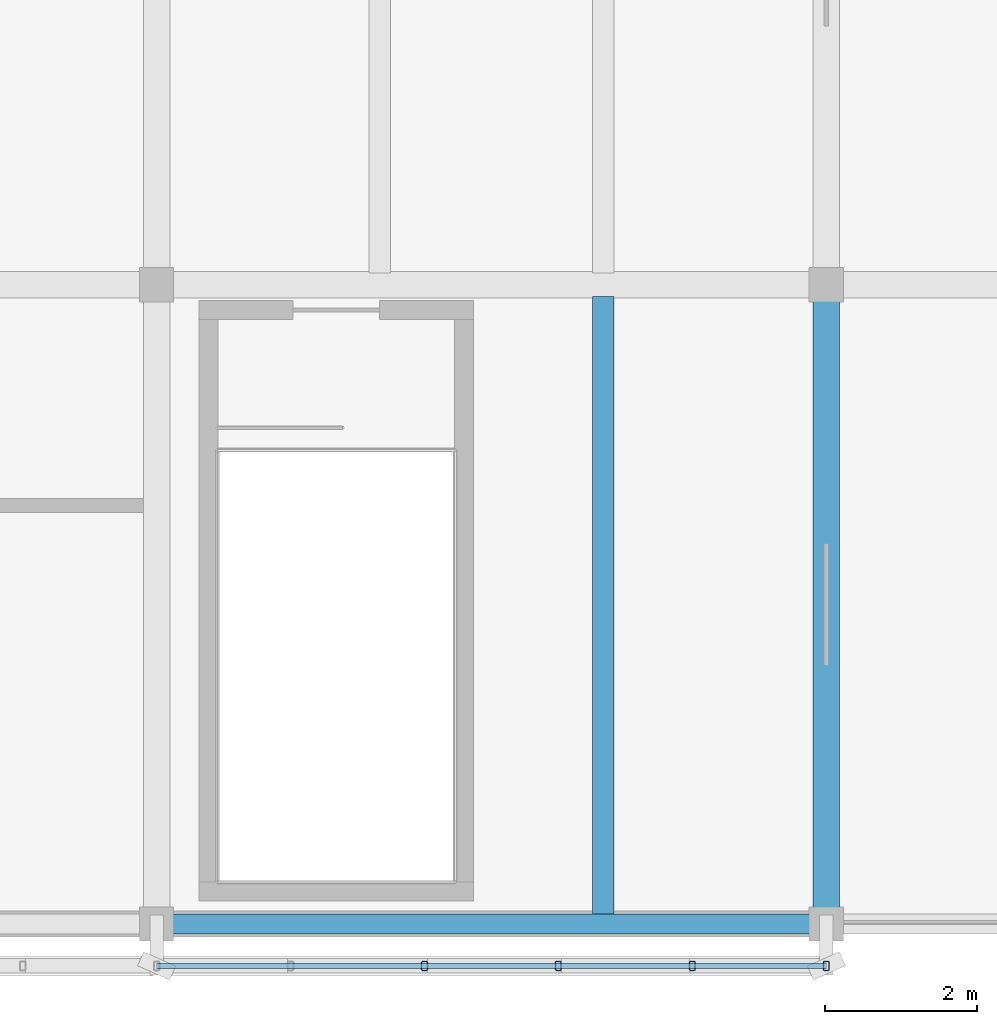
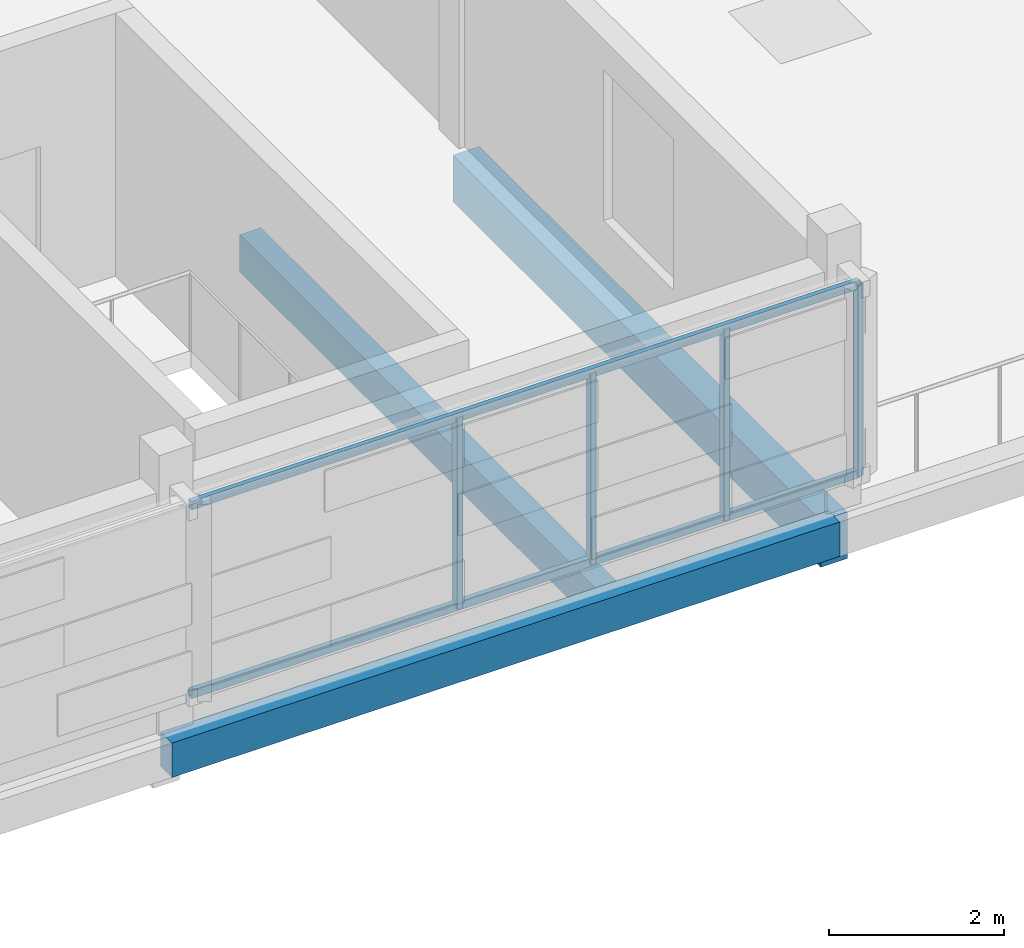
# One storey, part 31 of 117: 6 members, 3 beams.
"""IFC4 building model written with IfcOpenShell, lengths in metres."""

from ifc_helpers import new_model, si_unit, direction, frame, origin, origin_2d, place, context, subcontext, project, spatial, rectangle, hollow_rectangle, extrude, material, material_profile, profile_set, type_object, element, save


model = new_model("IFC4")

# Units and contexts
model_context = context("Model", 3, precision=1e-05, world=origin(), true_north=direction((0.0, 1.0)))
body_context = subcontext(model_context, "Body", "Model", "MODEL_VIEW")
ifc_project = project(units=[si_unit("LENGTHUNIT", "METRE"), si_unit("AREAUNIT", "SQUARE_METRE"), si_unit("VOLUMEUNIT", "CUBIC_METRE"), si_unit("PLANEANGLEUNIT", "RADIAN"), si_unit("MASSUNIT", "GRAM", prefix="KILO")], contexts=[model_context])

# Site, building, storey
site_placement = place(None, origin())
site = spatial("IfcSite", under=ifc_project, at=site_placement, CompositionType="ELEMENT")
building_placement = place(site_placement, origin())
building = spatial("IfcBuilding", under=site, at=building_placement, Name="Cinderway Yard Community Centre", CompositionType="ELEMENT")
storey_placement = place(building_placement, frame((0.0, 0.0, 9.0)))
storey = spatial("IfcBuildingStorey", under=building, at=storey_placement, Name="L02", CompositionType="ELEMENT", Elevation=9.0)

# Members
ifc_material_1 = material(Name="Steel S355", Category="steel")
ifc_material_profile_1 = material_profile(ifc_material_1, hollow_rectangle(XDim=0.080078125, YDim=0.1201171875, WallThickness=0.00634765625, InnerFilletRadius=0.00634765625, OuterFilletRadius=0.0126953125, at=origin_2d()), Name="Steel S355")
ifc_profile_set_1 = profile_set([ifc_material_profile_1], Name="Steel S355")
member_type = type_object("IfcMemberType", Name="ENV-MEM-SCREEN-RAIL-120", PredefinedType="STRINGER", material=ifc_profile_set_1)
for number, where, z_axis, x_axis, name in (
    (1, (101.60009765625, 5.449951171875, 0.7099609375), (1.0, 0.0, 0.0), (0.0, 1.0, 0.0), "Screen support rail 0683-BOT"),
    (2, (101.60009765625, 5.449951171875, 3.340087890625), (1.0, 0.0, 0.0), (0.0, 1.0, 0.0), "Screen support rail 0684-TOP"),
):
    element("IfcMember", number, at=place(storey_placement, frame(where, z_axis=z_axis, x_axis=x_axis)), inside=storey, type_object=member_type, Name=name, PredefinedType="STRINGER", context=body_context, shape_type="SweptSolid", body=[
        extrude(hollow_rectangle(XDim=0.080078125, YDim=0.1201171875, WallThickness=0.00634765625, InnerFilletRadius=0.00634765625, OuterFilletRadius=0.0126953125, at=origin_2d()), origin(), (0.0, 0.0, 1.0), 8.7998046875),
    ])
for number, where, z_axis, x_axis, name in (
    (3, (105.1201171875, 5.449951171875, 0.68994140625), (0.0, 0.0, 1.0), (1.0, 0.0, 0.0), "Screen vertical mullion 0686"),
    (4, (106.8798828125, 5.449951171875, 0.68994140625), (0.0, 0.0, 1.0), (1.0, 0.0, 0.0), "Screen vertical mullion 0687"),
    (5, (108.639892578125, 5.449951171875, 0.68994140625), (0.0, 0.0, 1.0), (1.0, 0.0, 0.0), "Screen vertical mullion 0688"),
    (6, (110.39990234375, 5.449951171875, 0.68994140625), (0.0, 0.0, 1.0), (1.0, 0.0, 0.0), "Screen vertical mullion 0689"),
):
    element("IfcMember", number, at=place(storey_placement, frame(where, z_axis=z_axis, x_axis=x_axis)), inside=storey, type_object=member_type, Name=name, PredefinedType="STRINGER", context=body_context, shape_type="SweptSolid", body=[
        extrude(hollow_rectangle(XDim=0.080078125, YDim=0.1201171875, WallThickness=0.00634765625, InnerFilletRadius=0.00634765625, OuterFilletRadius=0.0126953125, at=origin_2d()), origin(), (0.0, 0.0, 1.0), 2.670166015625),
    ])

# Beams
ifc_material_2 = material(Name="Concrete C40/50", Category="concrete")
ifc_material_profile_2 = material_profile(ifc_material_2, rectangle(XDim=0.260009765625, YDim=0.47998046875, at=origin_2d()), Name="Concrete C40/50")
ifc_profile_set_2 = profile_set([ifc_material_profile_2], Name="Concrete C40/50")
beam_type_1 = type_object("IfcBeamType", Name="STR-BM-RC260X480", PredefinedType="SPANDREL", material=ifc_profile_set_2)
beam_1_placement = place(storey_placement, frame((101.60009765625, 6.0, -0.47998046875), z_axis=(1.0, 0.0, 0.0), x_axis=(0.0, 1.0, 0.0)))
element("IfcBeam", 7, at=beam_1_placement, inside=storey, type_object=beam_type_1, Name="Primary girder STR-BM-L02-SP01-0440", PredefinedType="SPANDREL", context=body_context, shape_type="SweptSolid", body=[
    extrude(rectangle(XDim=0.260009765625, YDim=0.47998046875, at=origin_2d()), origin(), (0.0, 0.0, 1.0), 8.7998046875),
])
ifc_material_3 = material(Name="Concrete C35/45", Category="concrete")
ifc_material_profile_3 = material_profile(ifc_material_3, rectangle(XDim=0.280029296875, YDim=0.52001953125, at=origin_2d()), Name="Concrete C35/45")
ifc_profile_set_3 = profile_set([ifc_material_profile_3], Name="Concrete C35/45")
beam_type_2 = type_object("IfcBeamType", Name="STR-BM-RC280X520", PredefinedType="JOIST", material=ifc_profile_set_3)
beam_2_placement = place(storey_placement, frame((107.467041015625, 6.112060546875, -0.5), z_axis=(0.0, 1.0, 0.0), x_axis=(-1.0, 0.0, 0.0)))
element("IfcBeam", 8, at=beam_2_placement, inside=storey, type_object=beam_type_2, Name="Secondary joist STR-BM-L02-BJ04-0489", PredefinedType="JOIST", context=body_context, shape_type="SweptSolid", body=[
    extrude(rectangle(XDim=0.280029296875, YDim=0.52001953125, at=origin_2d()), origin(), (0.0, 0.0, 1.0), 8.130859375),
])
ifc_material_profile_4 = material_profile(ifc_material_3, rectangle(XDim=0.35009765625, YDim=0.64990234375, at=origin_2d()), Name="Concrete C35/45")
ifc_profile_set_4 = profile_set([ifc_material_profile_4], Name="Concrete C35/45")
beam_type_3 = type_object("IfcBeamType", Name="STR-BM-RC350X650", PredefinedType="BEAM", material=ifc_profile_set_4)
beam_3_placement = place(storey_placement, frame((110.39990234375, 6.0, -0.56494140625), z_axis=(0.0, 1.0, 0.0), x_axis=(-1.0, 0.0, 0.0)))
element("IfcBeam", 9, at=beam_3_placement, inside=storey, type_object=beam_type_3, Name="Transverse girder STR-BM-L02-BG08-0467", PredefinedType="BEAM", context=body_context, shape_type="SweptSolid", body=[
    extrude(rectangle(XDim=0.35009765625, YDim=0.64990234375, at=origin_2d()), origin(), (0.0, 0.0, 1.0), 8.39990234375),
])

save(model, "model.ifc")
